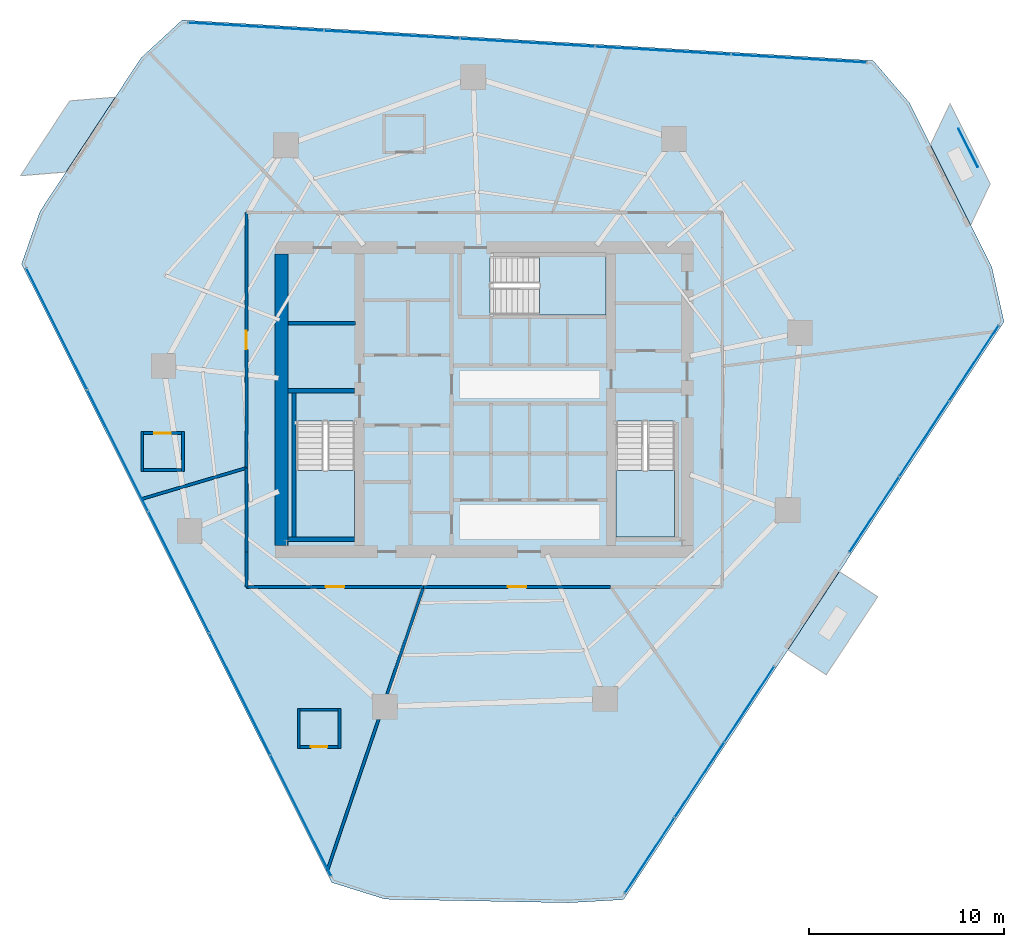
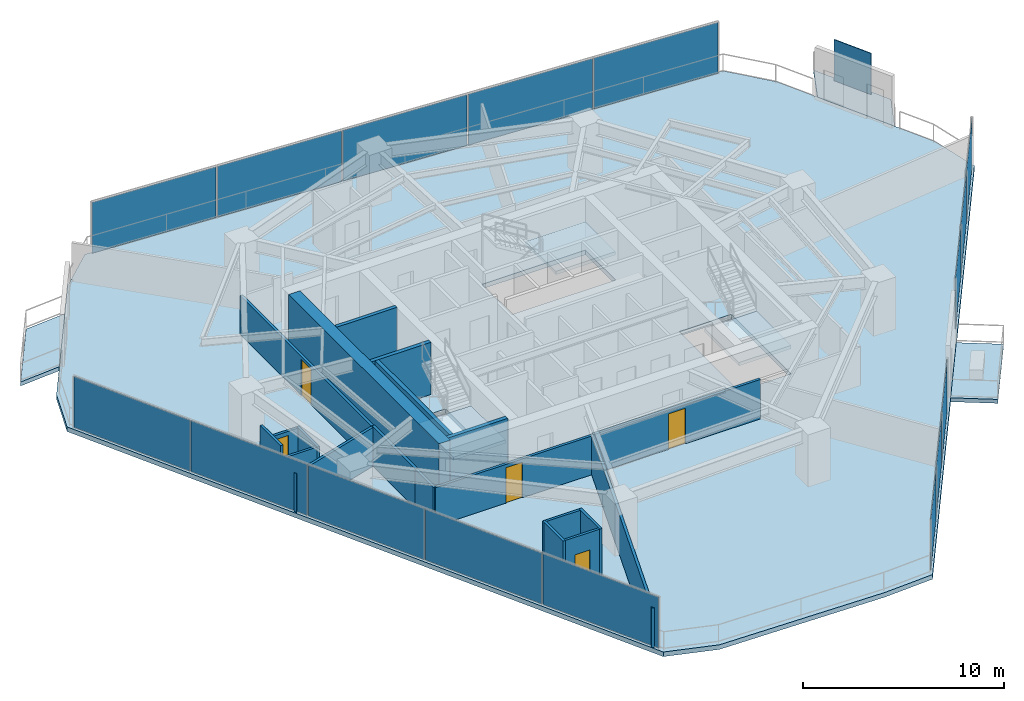
# One storey, part 23 of 28: 20 walls, 17 plates, 7 slabs, 5 doors, 5 openings, 7 elements without a shape of their own.
"""IFC4 building model written with IfcOpenShell, lengths in metres."""

from ifc_helpers import new_model, si_unit, direction, frame, frame_2d, origin, origin_2d, place, context, subcontext, project, spatial, polyline, rectangle, outline, extrude, material, layer, layer_set, type_object, element, fill, aggregate, save


model = new_model("IFC4")

# Units and contexts
model_context = context("Model", 3, precision=1e-05, world=origin(), true_north=direction((0.0, 1.0)))
body_context = subcontext(model_context, "Body", "Model", "MODEL_VIEW")
ifc_project = project(units=[si_unit("LENGTHUNIT", "METRE"), si_unit("AREAUNIT", "SQUARE_METRE"), si_unit("VOLUMEUNIT", "CUBIC_METRE"), si_unit("PLANEANGLEUNIT", "RADIAN"), si_unit("MASSUNIT", "GRAM", prefix="KILO")], contexts=[model_context])

# Site, building, storey
site_placement = place(None, origin())
site = spatial("IfcSite", under=ifc_project, at=site_placement, CompositionType="ELEMENT")
building_placement = place(site_placement, origin())
building = spatial("IfcBuilding", under=site, at=building_placement, Name="Qarnah Convention Tower", CompositionType="ELEMENT")
storey_placement = place(building_placement, frame((0.0, 0.0, 54.60009765625)))
storey = spatial("IfcBuildingStorey", under=building, at=storey_placement, Name="L13", CompositionType="ELEMENT", Elevation=54.60009765625)

# Curtain wall, plates
ifc_material_1 = material(Name="Tempered Low-E dark glass", Category="glass")
ifc_layer_1 = layer(ifc_material_1, 0.16796875)
ifc_layer_set_1 = layer_set([ifc_layer_1], Name="Tempered Low-E dark glass")
curtain_wall_type = type_object("IfcCurtainWallType", Name="CWS-01", PredefinedType="NOTDEFINED", material=ifc_layer_set_1)
curtain_wall_1_placement = place(storey_placement, origin())
curtain_wall_1 = element("IfcCurtainWall", 1, at=curtain_wall_1_placement, inside=storey, type_object=curtain_wall_type, Name="L13 unitised curtain wall CW-L13-F1", PredefinedType="NOTDEFINED")
ifc_layer_2 = layer(ifc_material_1, 0.028076171875)
ifc_layer_set_2 = layer_set([ifc_layer_2], Name="Tempered Low-E dark glass")
plate_type_1 = type_object("IfcPlateType", Name="PNL-T1", PredefinedType="CURTAIN_PANEL", material=ifc_layer_set_2)
plate_1_placement = place(storey_placement, frame((25.47900390625, 45.532470703125, 0.0400390625), z_axis=(0.0, 0.0, 1.0), x_axis=(0.998280790884, -0.058612819006, 0.0)))
plate_1 = element("IfcPlate", 2, at=plate_1_placement, type_object=plate_type_1, Name="CW-L13-F1 curtain panel 1.1", PredefinedType="CURTAIN_PANEL", context=body_context, shape_type="SweptSolid", body=[
    extrude(rectangle(XDim=6.89794921875, YDim=0.028076171875, at=origin_2d()), origin(), (0.0, 0.0, 1.0), 3.090087890625),
])
plate_2_placement = place(storey_placement, frame((32.445068359375, 45.12353515625, 0.0400390625), z_axis=(0.0, 0.0, 1.0), x_axis=(0.998280790884, -0.058612819006, 0.0)))
plate_2 = element("IfcPlate", 3, at=plate_2_placement, type_object=plate_type_1, Name="CW-L13-F1 curtain panel 2.1", PredefinedType="CURTAIN_PANEL", context=body_context, shape_type="SweptSolid", body=[
    extrude(rectangle(XDim=6.89794921875, YDim=0.028076171875, at=origin_2d()), origin(), (0.0, 0.0, 1.0), 3.090087890625),
])
plate_3_placement = place(storey_placement, frame((39.410888671875, 44.714599609375, 0.0400390625), z_axis=(0.0, 0.0, 1.0), x_axis=(0.998280790884, -0.058612819006, 0.0)))
plate_3 = element("IfcPlate", 4, at=plate_3_placement, type_object=plate_type_1, Name="CW-L13-F1 curtain panel 3.1", PredefinedType="CURTAIN_PANEL", context=body_context, shape_type="SweptSolid", body=[
    extrude(rectangle(XDim=6.89794921875, YDim=0.028076171875, at=origin_2d()), origin(), (0.0, 0.0, 1.0), 3.090087890625),
])
plate_4_placement = place(storey_placement, frame((46.376953125, 44.305419921875, 0.0400390625), z_axis=(0.0, 0.0, 1.0), x_axis=(0.998280790884, -0.058612819006, 0.0)))
plate_4 = element("IfcPlate", 5, at=plate_4_placement, type_object=plate_type_1, Name="CW-L13-F1 curtain panel 4.1", PredefinedType="CURTAIN_PANEL", context=body_context, shape_type="SweptSolid", body=[
    extrude(rectangle(XDim=6.89794921875, YDim=0.028076171875, at=origin_2d()), origin(), (0.0, 0.0, 1.0), 3.090087890625),
])
plate_5_placement = place(storey_placement, frame((53.343017578125, 43.896484375, 0.0400390625), z_axis=(0.0, 0.0, 1.0), x_axis=(0.998280790884, -0.058612819006, 0.0)))
plate_5 = element("IfcPlate", 6, at=plate_5_placement, type_object=plate_type_1, Name="CW-L13-F1 curtain panel 5.1", PredefinedType="CURTAIN_PANEL", context=body_context, shape_type="SweptSolid", body=[
    extrude(rectangle(XDim=6.89794921875, YDim=0.028076171875, at=origin_2d()), origin(), (0.0, 0.0, 1.0), 3.090087890625),
])
aggregate(curtain_wall_1, [plate_1, plate_2, plate_3, plate_4, plate_5])

curtain_wall_2_placement = place(storey_placement, origin())
curtain_wall_2 = element("IfcCurtainWall", 7, at=curtain_wall_2_placement, inside=storey, type_object=curtain_wall_type, Name="L13 unitised curtain wall CW-L13-F2", PredefinedType="NOTDEFINED")
plate_6_placement = place(storey_placement, frame((27.78759765625, 5.08056640625, 0.0400390625), z_axis=(0.0, 0.0, 1.0), x_axis=(-0.448382607671, 0.893841729356, 0.0)))
plate_6 = element("IfcPlate", 8, at=plate_6_placement, type_object=plate_type_1, Name="CW-L13-F2 curtain panel 1.1", PredefinedType="CURTAIN_PANEL", context=body_context, shape_type="SweptSolid", body=[
    extrude(rectangle(XDim=6.89794921875, YDim=0.028076171875, at=origin_2d()), origin(), (0.0, 0.0, 1.0), 3.090087890625),
])
plate_7_placement = place(storey_placement, frame((24.65869140625, 11.31787109375, 0.0400390625), z_axis=(0.0, 0.0, 1.0), x_axis=(-0.448382607671, 0.893841729356, 0.0)))
plate_7 = element("IfcPlate", 9, at=plate_7_placement, type_object=plate_type_1, Name="CW-L13-F2 curtain panel 2.1", PredefinedType="CURTAIN_PANEL", context=body_context, shape_type="SweptSolid", body=[
    extrude(rectangle(XDim=6.89794921875, YDim=0.028076171875, at=origin_2d()), origin(), (0.0, 0.0, 1.0), 3.090087890625),
])
plate_8_placement = place(storey_placement, frame((21.530029296875, 17.554931640625, 0.0400390625), z_axis=(0.0, 0.0, 1.0), x_axis=(-0.448382607671, 0.893841729356, 0.0)))
plate_8 = element("IfcPlate", 10, at=plate_8_placement, type_object=plate_type_1, Name="CW-L13-F2 curtain panel 3.1", PredefinedType="CURTAIN_PANEL", context=body_context, shape_type="SweptSolid", body=[
    extrude(rectangle(XDim=6.89794921875, YDim=0.028076171875, at=origin_2d()), origin(), (0.0, 0.0, 1.0), 3.090087890625),
])
plate_9_placement = place(storey_placement, frame((18.401123046875, 23.792236328125, 0.0400390625), z_axis=(0.0, 0.0, 1.0), x_axis=(-0.448382607671, 0.893841729356, 0.0)))
plate_9 = element("IfcPlate", 11, at=plate_9_placement, type_object=plate_type_1, Name="CW-L13-F2 curtain panel 4.1", PredefinedType="CURTAIN_PANEL", context=body_context, shape_type="SweptSolid", body=[
    extrude(rectangle(XDim=6.89794921875, YDim=0.028076171875, at=origin_2d()), origin(), (0.0, 0.0, 1.0), 3.090087890625),
])
plate_10_placement = place(storey_placement, frame((15.2724609375, 30.029296875, 0.0400390625), z_axis=(0.0, 0.0, 1.0), x_axis=(-0.448382607671, 0.893841729356, 0.0)))
plate_10 = element("IfcPlate", 12, at=plate_10_placement, type_object=plate_type_1, Name="CW-L13-F2 curtain panel 5.1", PredefinedType="CURTAIN_PANEL", context=body_context, shape_type="SweptSolid", body=[
    extrude(rectangle(XDim=6.89794921875, YDim=0.028076171875, at=origin_2d()), origin(), (0.0, 0.0, 1.0), 3.090087890625),
])
aggregate(curtain_wall_2, [plate_6, plate_7, plate_8, plate_9, plate_10])

curtain_wall_3_placement = place(storey_placement, origin())
curtain_wall_3 = element("IfcCurtainWall", 13, at=curtain_wall_3_placement, inside=storey, type_object=curtain_wall_type, Name="L13 unitised curtain wall CW-L13-F3", PredefinedType="NOTDEFINED")
plate_11_placement = place(storey_placement, frame((62.304931640625, 28.276123046875, 0.0400390625), z_axis=(0.0, 0.0, 1.0), x_axis=(-0.549912553772, -0.835222235817, 0.0)))
plate_11 = element("IfcPlate", 14, at=plate_11_placement, type_object=plate_type_1, Name="CW-L13-F3 curtain panel 1.1", PredefinedType="CURTAIN_PANEL", context=body_context, shape_type="SweptSolid", body=[
    extrude(rectangle(XDim=4.572265625, YDim=0.028076171875, at=origin_2d()), origin(), (0.0, 0.0, 1.0), 3.090087890625),
])
plate_12_placement = place(storey_placement, frame((59.74658203125, 24.390380859375, 0.0400390625), z_axis=(0.0, 0.0, 1.0), x_axis=(-0.549912553772, -0.835222235817, 0.0)))
plate_12 = element("IfcPlate", 15, at=plate_12_placement, type_object=plate_type_1, Name="CW-L13-F3 curtain panel 2.1", PredefinedType="CURTAIN_PANEL", context=body_context, shape_type="SweptSolid", body=[
    extrude(rectangle(XDim=4.572265625, YDim=0.028076171875, at=origin_2d()), origin(), (0.0, 0.0, 1.0), 3.090087890625),
])
plate_13_placement = place(storey_placement, frame((57.188232421875, 20.5048828125, 0.0400390625), z_axis=(0.0, 0.0, 1.0), x_axis=(-0.549912553772, -0.835222235817, 0.0)))
plate_13 = element("IfcPlate", 16, at=plate_13_placement, type_object=plate_type_1, Name="CW-L13-F3 curtain panel 3.1", PredefinedType="CURTAIN_PANEL", context=body_context, shape_type="SweptSolid", body=[
    extrude(rectangle(XDim=4.572265625, YDim=0.028076171875, at=origin_2d()), origin(), (0.0, 0.0, 1.0), 3.090087890625),
])
aggregate(curtain_wall_3, [plate_11, plate_12, plate_13])

curtain_wall_4_placement = place(storey_placement, origin())
curtain_wall_4 = element("IfcCurtainWall", 17, at=curtain_wall_4_placement, inside=storey, type_object=curtain_wall_type, Name="L13 unitised curtain wall CW-L13-F4", PredefinedType="NOTDEFINED")
plate_14_placement = place(storey_placement, frame((50.794921875, 10.7939453125, 0.0400390625), z_axis=(0.0, 0.0, 1.0), x_axis=(-0.549879652203, -0.835243897369, 0.0)))
plate_14 = element("IfcPlate", 18, at=plate_14_placement, type_object=plate_type_1, Name="CW-L13-F4 curtain panel 1.1", PredefinedType="CURTAIN_PANEL", context=body_context, shape_type="SweptSolid", body=[
    extrude(rectangle(XDim=4.572509765625, YDim=0.028076171875, at=origin_2d()), origin(), (0.0, 0.0, 1.0), 3.090087890625),
])
plate_15_placement = place(storey_placement, frame((48.236572265625, 6.907958984375, 0.0400390625), z_axis=(0.0, 0.0, 1.0), x_axis=(-0.549879652203, -0.835243897369, 0.0)))
plate_15 = element("IfcPlate", 19, at=plate_15_placement, type_object=plate_type_1, Name="CW-L13-F4 curtain panel 2.1", PredefinedType="CURTAIN_PANEL", context=body_context, shape_type="SweptSolid", body=[
    extrude(rectangle(XDim=4.572509765625, YDim=0.028076171875, at=origin_2d()), origin(), (0.0, 0.0, 1.0), 3.090087890625),
])
plate_16_placement = place(storey_placement, frame((45.67822265625, 3.02197265625, 0.0400390625), z_axis=(0.0, 0.0, 1.0), x_axis=(-0.549879652203, -0.835243897369, 0.0)))
plate_16 = element("IfcPlate", 20, at=plate_16_placement, type_object=plate_type_1, Name="CW-L13-F4 curtain panel 3.1", PredefinedType="CURTAIN_PANEL", context=body_context, shape_type="SweptSolid", body=[
    extrude(rectangle(XDim=4.572509765625, YDim=0.028076171875, at=origin_2d()), origin(), (0.0, 0.0, 1.0), 3.090087890625),
])
aggregate(curtain_wall_4, [plate_14, plate_15, plate_16])

# Plate
ifc_material_2 = material(Name="Black anodised aluminium", Category="aluminium")
ifc_layer_3 = layer(ifc_material_2, 0.044921875)
ifc_layer_set_3 = layer_set([ifc_layer_3], Name="Black anodised aluminium")
plate_type_2 = type_object("IfcPlateType", Name="SCR-BAL-18", PredefinedType="USERDEFINED", material=ifc_layer_set_3)
plate_17_placement = place(storey_placement, frame((62.008056640625, 39.31201171875, 0.0), z_axis=(0.0, 0.0, 1.0), x_axis=(0.448256847755, -0.893904803903, 0.0)))
element("IfcPlate", 21, at=plate_17_placement, inside=storey, type_object=plate_type_2, Name="L13 perforated desert solar screen BAL-L13-C1", ObjectType="SCREEN", PredefinedType="USERDEFINED", context=body_context, shape_type="SweptSolid", body=[
    extrude(rectangle(XDim=2.199951171875, YDim=0.044921875, at=origin_2d()), origin(), (0.0, 0.0, 1.0), 2.5),
])

# Slabs
ifc_material_3 = material(Name="Concrete C45/55", Category="concrete")
ifc_layer_4 = layer(ifc_material_3, 0.239990234375)
ifc_layer_set_4 = layer_set([ifc_layer_4], Name="Concrete C45/55")
slab_type_1 = type_object("IfcSlabType", Name="SLB-BAL-240", PredefinedType="USERDEFINED", material=ifc_layer_set_4)
slab_1_placement = place(storey_placement, frame((0.0, 0.0, -0.239990234375)))
element("IfcSlab", 22, at=slab_1_placement, inside=storey, type_object=slab_type_1, Name="L13 cantilevered balcony slab BAL-L13-C1", ObjectType="BALCONY", PredefinedType="USERDEFINED", context=body_context, shape_type="SweptSolid", body=[
    extrude(outline(polyline([(61.080078125, 41.5849609375), (63.14208984375, 37.472900390625), (62.136962890625, 35.35302734375), (60.074951171875, 39.465087890625), (61.080078125, 41.5849609375)])), origin(), (0.0, 0.0, 1.0), 0.239990234375),
])
slab_2_placement = place(storey_placement, frame((0.0, 0.0, -0.239990234375)))
element("IfcSlab", 23, at=slab_2_placement, inside=storey, type_object=slab_type_1, Name="L13 cantilevered balcony slab BAL-L13-C2", ObjectType="BALCONY", PredefinedType="USERDEFINED", context=body_context, shape_type="SweptSolid", body=[
    extrude(outline(polyline([(13.406005859375, 37.885009765625), (15.93603515625, 41.72705078125), (18.27392578125, 41.9169921875), (15.7451171875, 38.074951171875), (13.406005859375, 37.885009765625)])), origin(), (0.0, 0.0, 1.0), 0.239990234375),
])
slab_3_placement = place(storey_placement, frame((0.0, 0.0, -0.239990234375)))
element("IfcSlab", 24, at=slab_3_placement, inside=storey, type_object=slab_type_1, Name="L13 cantilevered balcony slab VN-L13", ObjectType="BALCONY", PredefinedType="USERDEFINED", context=body_context, shape_type="SweptSolid", body=[
    extrude(outline(polyline([(55.166015625, 17.221923828125), (55.407958984375, 17.590087890625), (57.37109375, 16.298095703125), (54.73095703125, 12.2890625), (52.76904296875, 13.5810546875), (55.166015625, 17.221923828125)])), origin(), (0.0, 0.0, 1.0), 0.239990234375),
])

# Stair, slab
ifc_material_4 = material(Name="Concrete C50/60", Category="concrete")
stair_type = type_object("IfcStairType", Name="STR-HTL", PredefinedType="HALF_TURN_STAIR", material=ifc_material_4)
stair_1_placement = place(storey_placement, origin())
stair_1 = element("IfcStair", 25, at=stair_1_placement, inside=storey, type_object=stair_type, Name="L13 Core exit stair ST-1", PredefinedType="HALF_TURN_STAIR")
ifc_layer_5 = layer(ifc_material_4, 0.199951171875)
ifc_layer_set_5 = layer_set([ifc_layer_5], Name="Concrete C50/60")
slab_type_2 = type_object("IfcSlabType", Name="SLB-LANDING-200", PredefinedType="LANDING", material=ifc_layer_set_5)
slab_4_placement = place(storey_placement, frame((0.0, 0.0, 1.52490234375)))
slab_4 = element("IfcSlab", 26, at=slab_4_placement, type_object=slab_type_2, Name="ST-1 landing 1", PredefinedType="LANDING", context=body_context, shape_type="SweptSolid", body=[
    extrude(outline(polyline([(27.550048828125, 22.780029296875), (27.550048828125, 19.35009765625), (30.550048828125, 19.35009765625), (30.550048828125, 22.780029296875), (27.550048828125, 22.780029296875)])), origin(), (0.0, 0.0, 1.0), 0.199951171875),
])
aggregate(stair_1, [slab_4])

stair_2_placement = place(storey_placement, origin())
stair_2 = element("IfcStair", 27, at=stair_2_placement, inside=storey, type_object=stair_type, Name="L13 Core exit stair ST-2", PredefinedType="HALF_TURN_STAIR")
slab_5_placement = place(storey_placement, frame((0.0, 0.0, 1.52490234375)))
slab_5 = element("IfcSlab", 28, at=slab_5_placement, type_object=slab_type_2, Name="ST-2 landing 1", PredefinedType="LANDING", context=body_context, shape_type="SweptSolid", body=[
    extrude(outline(polyline([(43.949951171875, 22.780029296875), (43.949951171875, 19.35009765625), (46.949951171875, 19.35009765625), (46.949951171875, 22.780029296875), (43.949951171875, 22.780029296875)])), origin(), (0.0, 0.0, 1.0), 0.199951171875),
])
aggregate(stair_2, [slab_5])

stair_3_placement = place(storey_placement, origin())
stair_3 = element("IfcStair", 29, at=stair_3_placement, inside=storey, type_object=stair_type, Name="L13 Core exit stair ST-3", PredefinedType="HALF_TURN_STAIR")
slab_6_placement = place(storey_placement, frame((0.0, 0.0, 1.52490234375)))
slab_6 = element("IfcSlab", 30, at=slab_6_placement, type_object=slab_type_2, Name="ST-3 landing 1", PredefinedType="LANDING", context=body_context, shape_type="SweptSolid", body=[
    extrude(outline(polyline([(40.02001953125, 30.75), (43.449951171875, 30.75), (43.449951171875, 33.75), (40.02001953125, 33.75), (40.02001953125, 30.75)])), origin(), (0.0, 0.0, 1.0), 0.199951171875),
])
aggregate(stair_3, [slab_6])

# Slab
ifc_layer_6 = layer(ifc_material_3, 0.280029296875)
ifc_layer_set_6 = layer_set([ifc_layer_6], Name="Concrete C45/55")
slab_type_3 = type_object("IfcSlabType", Name="SLB-TWR-280", PredefinedType="FLOOR", material=ifc_layer_set_6)
slab_7_placement = place(storey_placement, frame((0.0, 0.0, -0.280029296875)))
element("IfcSlab", 31, at=slab_7_placement, inside=storey, type_object=slab_type_3, Name="L13 structural floor slab", PredefinedType="FLOOR", context=body_context, shape_type="SweptSolid", body=[
    extrude(outline(polyline([(57.133056640625, 43.7939453125), (21.7041015625, 45.8740234375), (19.59912109375, 43.93603515625), (14.4150390625, 36.06201171875), (13.466064453125, 33.362060546875), (29.37890625, 1.639892578125), (32.111083984375, 0.785888671875), (41.52099609375, 0.60009765625), (44.333984375, 0.761962890625), (63.84912109375, 30.404052734375), (63.222900390625, 33.197021484375), (58.9970703125, 41.623046875), (57.133056640625, 43.7939453125)]), holes=[polyline([(27.550048828125, 25.300048828125), (27.550048828125, 19.35009765625), (30.550048828125, 19.35009765625), (30.550048828125, 25.300048828125), (27.550048828125, 25.300048828125)]), polyline([(43.949951171875, 25.300048828125), (43.949951171875, 19.35009765625), (46.949951171875, 19.35009765625), (46.949951171875, 25.300048828125), (43.949951171875, 25.300048828125)]), polyline([(37.5, 30.75), (43.449951171875, 30.75), (43.449951171875, 33.75), (37.5, 33.75), (37.5, 30.75)])]), origin(), (0.0, 0.0, 1.0), 0.280029296875),
])

# Walls
ifc_material_5 = material(Name="Concrete C60/75", Category="concrete")
ifc_layer_7 = layer(ifc_material_5, 0.64990234375)
ifc_layer_set_7 = layer_set([ifc_layer_7], Name="Concrete C60/75")
wall_type_1 = type_object("IfcWallType", Name="WL-CORE-650", PredefinedType="SHEAR", material=ifc_layer_set_7)
wall_1_placement = place(storey_placement, frame((26.800048828125, 18.925048828125, 0.0), z_axis=(0.0, 0.0, 1.0), x_axis=(0.0, 1.0, 0.0)))
element("IfcWall", 32, at=wall_1_placement, inside=storey, type_object=wall_type_1, Name="L13 core west shear wall", PredefinedType="SHEAR", context=body_context, shape_type="SweptSolid", body=[
    extrude(rectangle(XDim=14.949951171875, YDim=0.64990234375, at=frame_2d((7.47509765625, 0.0))), origin(), (0.0, 0.0, 1.0), 3.169921875),
])
ifc_layer_8 = layer(ifc_material_3, 0.199951171875)
ifc_layer_set_8 = layer_set([ifc_layer_8], Name="Concrete C45/55")
wall_type_2 = type_object("IfcWallType", Name="WL-CORE-PART-200", PredefinedType="SOLIDWALL", material=ifc_layer_set_8)
wall_2_placement = place(storey_placement, frame((27.14990234375, 30.320068359375, 0.0), z_axis=(0.0, 0.0, 1.0), x_axis=(1.0, 0.0, 0.0)))
element("IfcWall", 33, at=wall_2_placement, inside=storey, type_object=wall_type_2, Name="L13 interior wall IW-L13-ELRN", PredefinedType="SOLIDWALL", context=body_context, shape_type="SweptSolid", body=[
    extrude(rectangle(XDim=3.4501953125, YDim=0.199951171875, at=frame_2d((1.72509765625, 0.0))), origin(), (0.0, 0.0, 1.0), 3.169921875),
])
ifc_layer_9 = layer(ifc_material_5, 0.219970703125)
ifc_layer_set_9 = layer_set([ifc_layer_9], Name="Concrete C60/75")
wall_type_3 = type_object("IfcWallType", Name="WL-CORE-STAIR-220", PredefinedType="SHEAR", material=ifc_layer_set_9)
wall_3_placement = place(storey_placement, frame((27.125, 26.860107421875, 0.0), z_axis=(0.0, 0.0, 1.0), x_axis=(1.0, 0.0, 0.0)))
element("IfcWall", 34, at=wall_3_placement, inside=storey, type_object=wall_type_3, Name="L13 stair shaft shear wall SW-L13-ST1N", PredefinedType="SHEAR", context=body_context, shape_type="SweptSolid", body=[
    extrude(rectangle(XDim=3.425048828125, YDim=0.219970703125, at=frame_2d((1.71240234375, 0.0))), origin(), (0.0, 0.0, 1.0), 3.169921875),
])
wall_4_placement = place(storey_placement, frame((27.43994140625, 19.35009765625, 0.0), z_axis=(0.0, 0.0, 1.0), x_axis=(0.0, 1.0, 0.0)))
element("IfcWall", 35, at=wall_4_placement, inside=storey, type_object=wall_type_3, Name="L13 stair shaft shear wall SW-L13-ST1W", PredefinedType="SHEAR", context=body_context, shape_type="SweptSolid", body=[
    extrude(rectangle(XDim=7.39990234375, YDim=0.219970703125, at=frame_2d((3.699951171875, 0.0))), origin(), (0.0, 0.0, 1.0), 3.169921875),
])
wall_5_placement = place(storey_placement, frame((27.125, 19.239990234375, 0.0), z_axis=(0.0, 0.0, 1.0), x_axis=(1.0, 0.0, 0.0)))
element("IfcWall", 36, at=wall_5_placement, inside=storey, type_object=wall_type_3, Name="L13 stair shaft shear wall SW-L13-ST1S", PredefinedType="SHEAR", context=body_context, shape_type="SweptSolid", body=[
    extrude(rectangle(XDim=3.425048828125, YDim=0.219970703125, at=frame_2d((1.71240234375, 0.0))), origin(), (0.0, 0.0, 1.0), 3.169921875),
])
ifc_material_6 = material(Name="Gypsum partition board")
ifc_layer_10 = layer(ifc_material_6, 0.14990234375)
ifc_layer_set_10 = layer_set([ifc_layer_10], Name="Gypsum partition board")
wall_type_4 = type_object("IfcWallType", Name="WL-SUITE-150", PredefinedType="PARTITIONING", material=ifc_layer_set_10)
wall_6_placement = place(storey_placement, frame((19.60400390625, 21.301025390625, 0.0), z_axis=(0.0, 0.0, 1.0), x_axis=(0.958688645274, 0.284457521297, 0.0)))
element("IfcWall", 37, at=wall_6_placement, inside=storey, type_object=wall_type_4, Name="L13 interior wall IW-L13-R-20", PredefinedType="PARTITIONING", context=body_context, shape_type="SweptSolid", body=[
    extrude(rectangle(XDim=5.62841796875, YDim=0.14990234375, at=frame_2d((2.814208984375, 0.0))), origin(), (0.0, 0.0, 1.0), 2.35498046875),
])

# Wall, opening, door
wall_7_placement = place(storey_placement, frame((25.0, 22.902099609375, 0.0), z_axis=(0.0, 0.0, 1.0), x_axis=(0.0, 1.0, 0.0)))
wall_7 = element("IfcWall", 38, at=wall_7_placement, inside=storey, type_object=wall_type_4, Name="L13 interior wall IW-L13-R-21", PredefinedType="PARTITIONING", context=body_context, shape_type="SweptSolid", body=[
    extrude(rectangle(XDim=13.097900390625, YDim=0.14990234375, at=frame_2d((6.548828125, 0.0))), origin(), (0.0, 0.0, 1.0), 2.35498046875),
])
opening_1_placement = place(wall_7_placement, frame((6.073974609375, 0.0, 0.0)))
opening_1 = element("IfcOpeningElement", 39, at=opening_1_placement, cuts=wall_7, Name="Opening D-1319", PredefinedType="OPENING", context=body_context, shape_type="SweptSolid", body=[
    extrude(rectangle(XDim=0.949951171875, YDim=2.14990234375, at=frame_2d((0.47509765625, 1.074951171875))), frame((0.0, 0.0849609375, 0.0), z_axis=(0.0, -1.0, 0.0), x_axis=(1.0, 0.0, 0.0)), (0.0, 0.0, 1.0), 0.169921875),
])
ifc_material_7 = material(Name="Oak timber veneer", Category="wood")
door_type_1 = type_object("IfcDoorType", Name="DT-HOTEL-950", OperationType="NOTDEFINED", PredefinedType="DOOR", material=ifc_material_7)
door_1_placement = place(opening_1_placement, origin())
door_1 = element("IfcDoor", 40, at=door_1_placement, inside=storey, type_object=door_type_1, Name="Door D-1319", OperationType="SINGLE_SWING_LEFT", OverallHeight=2.14990234375, OverallWidth=0.949951171875, PredefinedType="DOOR", context=body_context, shape_type="SweptSolid", body=[
    extrude(rectangle(XDim=0.949951171875, YDim=2.14990234375, at=frame_2d((0.47509765625, 1.074951171875))), frame((0.0, 0.02490234375, 0.0), z_axis=(0.0, -1.0, 0.0), x_axis=(1.0, 0.0, 0.0)), (0.0, 0.0, 1.0), 0.050048828125),
])
fill(opening_1, door_1)

# Wall
wall_8_placement = place(storey_placement, frame((29.14111328125, 2.239990234375, 0.0), z_axis=(0.0, 0.0, 1.0), x_axis=(0.321291767727, 0.946980253221, 0.0)))
element("IfcWall", 41, at=wall_8_placement, inside=storey, type_object=wall_type_4, Name="L13 interior wall IW-L13-R-24", PredefinedType="PARTITIONING", context=body_context, shape_type="SweptSolid", body=[
    extrude(rectangle(XDim=15.375244140625, YDim=0.14990234375, at=frame_2d((7.6875, 0.0))), origin(), (0.0, 0.0, 1.0), 2.39501953125),
])

# Wall, opening, door
wall_9_placement = place(storey_placement, frame((34.0810546875, 16.800048828125, 0.0), z_axis=(0.0, 0.0, 1.0), x_axis=(-1.0, 0.0, 0.0)))
wall_9 = element("IfcWall", 42, at=wall_9_placement, inside=storey, type_object=wall_type_4, Name="L13 interior wall IW-L13-R-25", PredefinedType="PARTITIONING", context=body_context, shape_type="SweptSolid", body=[
    extrude(rectangle(XDim=9.0810546875, YDim=0.14990234375, at=frame_2d((4.54052734375, 0.0))), origin(), (0.0, 0.0, 1.0), 2.35498046875),
])
opening_2_placement = place(wall_9_placement, frame((4.06591796875, 0.0, 0.0)))
opening_2 = element("IfcOpeningElement", 43, at=opening_2_placement, cuts=wall_9, Name="Opening D-1321", PredefinedType="OPENING", context=body_context, shape_type="SweptSolid", body=[
    extrude(rectangle(XDim=0.949951171875, YDim=2.14990234375, at=frame_2d((0.47509765625, 1.074951171875))), frame((0.0, 0.0849609375, 0.0), z_axis=(0.0, -1.0, 0.0), x_axis=(1.0, 0.0, 0.0)), (0.0, 0.0, 1.0), 0.169921875),
])
door_2_placement = place(opening_2_placement, origin())
door_2 = element("IfcDoor", 44, at=door_2_placement, inside=storey, type_object=door_type_1, Name="Door D-1321", OperationType="SINGLE_SWING_LEFT", OverallHeight=2.14990234375, OverallWidth=0.949951171875, PredefinedType="DOOR", context=body_context, shape_type="SweptSolid", body=[
    extrude(rectangle(XDim=0.949951171875, YDim=2.14990234375, at=frame_2d((0.47509765625, 1.074951171875))), frame((0.0, 0.02490234375, 0.0), z_axis=(0.0, -1.0, 0.0), x_axis=(1.0, 0.0, 0.0)), (0.0, 0.0, 1.0), 0.050048828125),
])
fill(opening_2, door_2)

# Walls
wall_10_placement = place(storey_placement, frame((25.0, 16.800048828125, 0.0), z_axis=(0.0, 0.0, 1.0), x_axis=(0.0, 1.0, 0.0)))
element("IfcWall", 45, at=wall_10_placement, inside=storey, type_object=wall_type_4, Name="L13 interior wall IW-L13-R-26", PredefinedType="PARTITIONING", context=body_context, shape_type="SweptSolid", body=[
    extrude(rectangle(XDim=1.800048828125, YDim=0.14990234375, at=frame_2d((0.89990234375, 0.0))), origin(), (0.0, 0.0, 1.0), 2.35498046875),
])
wall_11_placement = place(storey_placement, frame((25.0, 18.60009765625, 0.0), z_axis=(0.0, 0.0, 1.0), x_axis=(0.0, 1.0, 0.0)))
element("IfcWall", 46, at=wall_11_placement, inside=storey, type_object=wall_type_4, Name="L13 interior wall IW-L13-R-27", PredefinedType="PARTITIONING", context=body_context, shape_type="SweptSolid", body=[
    extrude(rectangle(XDim=4.302001953125, YDim=0.14990234375, at=frame_2d((2.15087890625, 0.0))), origin(), (0.0, 0.0, 1.0), 2.39501953125),
])

# Wall, opening, door
wall_12_placement = place(storey_placement, frame((43.675048828125, 16.800048828125, 0.0), z_axis=(0.0, 0.0, 1.0), x_axis=(-1.0, 0.0, 0.0)))
wall_12 = element("IfcWall", 47, at=wall_12_placement, inside=storey, type_object=wall_type_4, Name="L13 interior wall IW-L13-R-29", PredefinedType="PARTITIONING", context=body_context, shape_type="SweptSolid", body=[
    extrude(rectangle(XDim=9.593994140625, YDim=0.14990234375, at=frame_2d((4.796875, 0.0))), origin(), (0.0, 0.0, 1.0), 2.39501953125),
])
opening_3_placement = place(wall_12_placement, frame((4.322021484375, 0.0, 0.0)))
opening_3 = element("IfcOpeningElement", 48, at=opening_3_placement, cuts=wall_12, Name="Opening D-1323", PredefinedType="OPENING", context=body_context, shape_type="SweptSolid", body=[
    extrude(rectangle(XDim=0.949951171875, YDim=2.14990234375, at=frame_2d((0.47509765625, 1.074951171875))), frame((0.0, 0.0849609375, 0.0), z_axis=(0.0, -1.0, 0.0), x_axis=(1.0, 0.0, 0.0)), (0.0, 0.0, 1.0), 0.169921875),
])
door_3_placement = place(opening_3_placement, origin())
door_3 = element("IfcDoor", 49, at=door_3_placement, inside=storey, type_object=door_type_1, Name="Door D-1323", OperationType="SINGLE_SWING_LEFT", OverallHeight=2.14990234375, OverallWidth=0.949951171875, PredefinedType="DOOR", context=body_context, shape_type="SweptSolid", body=[
    extrude(rectangle(XDim=0.949951171875, YDim=2.14990234375, at=frame_2d((0.47509765625, 1.074951171875))), frame((0.0, 0.02490234375, 0.0), z_axis=(0.0, -1.0, 0.0), x_axis=(1.0, 0.0, 0.0)), (0.0, 0.0, 1.0), 0.050048828125),
])
fill(opening_3, door_3)

# Walls
ifc_layer_11 = layer(ifc_material_6, 0.139892578125)
ifc_layer_set_11 = layer_set([ifc_layer_11], Name="Gypsum partition board")
wall_type_5 = type_object("IfcWallType", Name="WL-WET-140", PredefinedType="PARTITIONING", material=ifc_layer_set_11)
wall_13_placement = place(storey_placement, frame((19.5791015625, 22.7919921875, 0.0), z_axis=(0.0, 0.0, 1.0), x_axis=(1.0, 0.0, 0.0)))
element("IfcWall", 50, at=wall_13_placement, inside=storey, type_object=wall_type_5, Name="L13 interior wall IW-L13-ENS02-1", PredefinedType="PARTITIONING", context=body_context, shape_type="SweptSolid", body=[
    extrude(rectangle(XDim=2.239990234375, YDim=0.139892578125, at=frame_2d((1.1201171875, 0.0))), origin(), (0.0, 0.0, 1.0), 2.35498046875),
])
wall_14_placement = place(storey_placement, frame((21.7490234375, 22.721923828125, 0.0), z_axis=(0.0, 0.0, 1.0), x_axis=(0.0, 1.0, 0.0)))
element("IfcWall", 51, at=wall_14_placement, inside=storey, type_object=wall_type_5, Name="L13 interior wall IW-L13-ENS02-2", PredefinedType="PARTITIONING", context=body_context, shape_type="SweptSolid", body=[
    extrude(rectangle(XDim=2.0400390625, YDim=0.139892578125, at=frame_2d((1.02001953125, 0.0))), origin(), (0.0, 0.0, 1.0), 2.35498046875),
])

# Wall, opening, door
wall_15_placement = place(storey_placement, frame((21.819091796875, 24.69189453125, 0.0), z_axis=(0.0, 0.0, 1.0), x_axis=(-1.0, 0.0, 0.0)))
wall_15 = element("IfcWall", 52, at=wall_15_placement, inside=storey, type_object=wall_type_5, Name="L13 interior wall IW-L13-ENS02-3", PredefinedType="PARTITIONING", context=body_context, shape_type="SweptSolid", body=[
    extrude(rectangle(XDim=2.239990234375, YDim=0.139892578125, at=frame_2d((1.1201171875, 0.0))), origin(), (0.0, 0.0, 1.0), 2.35498046875),
])
opening_4_placement = place(wall_15_placement, frame((0.695068359375, 0.0, 0.0)))
opening_4 = element("IfcOpeningElement", 53, at=opening_4_placement, cuts=wall_15, Name="Opening D-1320", PredefinedType="OPENING", context=body_context, shape_type="SweptSolid", body=[
    extrude(rectangle(XDim=0.85009765625, YDim=2.10009765625, at=frame_2d((0.425048828125, 1.050048828125))), frame((0.0, 0.079833984375, 0.0), z_axis=(0.0, -1.0, 0.0), x_axis=(1.0, 0.0, 0.0)), (0.0, 0.0, 1.0), 0.159912109375),
])
door_type_2 = type_object("IfcDoorType", Name="DT-BATH-850", OperationType="NOTDEFINED", PredefinedType="DOOR", material=ifc_material_7)
door_4_placement = place(opening_4_placement, origin())
door_4 = element("IfcDoor", 54, at=door_4_placement, inside=storey, type_object=door_type_2, Name="Door D-1320", OperationType="SINGLE_SWING_RIGHT", OverallHeight=2.10009765625, OverallWidth=0.85009765625, PredefinedType="DOOR", context=body_context, shape_type="SweptSolid", body=[
    extrude(rectangle(XDim=0.85009765625, YDim=2.10009765625, at=frame_2d((0.425048828125, 1.050048828125))), frame((0.0, 0.02490234375, 0.0), z_axis=(0.0, -1.0, 0.0), x_axis=(1.0, 0.0, 0.0)), (0.0, 0.0, 1.0), 0.050048828125),
])
fill(opening_4, door_4)

# Wall
wall_16_placement = place(storey_placement, frame((19.64892578125, 24.761962890625, 0.0), z_axis=(0.0, 0.0, 1.0), x_axis=(0.0, -1.0, 0.0)))
element("IfcWall", 55, at=wall_16_placement, inside=storey, type_object=wall_type_5, Name="L13 interior wall IW-L13-ENS02-4", PredefinedType="PARTITIONING", context=body_context, shape_type="SweptSolid", body=[
    extrude(rectangle(XDim=2.0400390625, YDim=0.139892578125, at=frame_2d((1.02001953125, 0.0))), origin(), (0.0, 0.0, 1.0), 3.169921875),
])

# Wall, opening, door
wall_17_placement = place(storey_placement, frame((27.60498046875, 8.594970703125, 0.0), z_axis=(0.0, 0.0, 1.0), x_axis=(1.0, 0.0, 0.0)))
wall_17 = element("IfcWall", 56, at=wall_17_placement, inside=storey, type_object=wall_type_5, Name="L13 interior wall IW-L13-ENS03-1", PredefinedType="PARTITIONING", context=body_context, shape_type="SweptSolid", body=[
    extrude(rectangle(XDim=2.239990234375, YDim=0.139892578125, at=frame_2d((1.1201171875, 0.0))), origin(), (0.0, 0.0, 1.0), 3.169921875),
])
opening_5_placement = place(wall_17_placement, frame((0.695068359375, 0.0, 0.0)))
opening_5 = element("IfcOpeningElement", 57, at=opening_5_placement, cuts=wall_17, Name="Opening D-1322", PredefinedType="OPENING", context=body_context, shape_type="SweptSolid", body=[
    extrude(rectangle(XDim=0.85009765625, YDim=2.10009765625, at=frame_2d((0.425048828125, 1.050048828125))), frame((0.0, 0.079833984375, 0.0), z_axis=(0.0, -1.0, 0.0), x_axis=(1.0, 0.0, 0.0)), (0.0, 0.0, 1.0), 0.159912109375),
])
door_5_placement = place(opening_5_placement, origin())
door_5 = element("IfcDoor", 58, at=door_5_placement, inside=storey, type_object=door_type_2, Name="Door D-1322", OperationType="SINGLE_SWING_RIGHT", OverallHeight=2.10009765625, OverallWidth=0.85009765625, PredefinedType="DOOR", context=body_context, shape_type="SweptSolid", body=[
    extrude(rectangle(XDim=0.85009765625, YDim=2.10009765625, at=frame_2d((0.425048828125, 1.050048828125))), frame((0.0, 0.02490234375, 0.0), z_axis=(0.0, -1.0, 0.0), x_axis=(1.0, 0.0, 0.0)), (0.0, 0.0, 1.0), 0.050048828125),
])
fill(opening_5, door_5)

# Walls
wall_18_placement = place(storey_placement, frame((29.77490234375, 8.52490234375, 0.0), z_axis=(0.0, 0.0, 1.0), x_axis=(0.0, 1.0, 0.0)))
element("IfcWall", 59, at=wall_18_placement, inside=storey, type_object=wall_type_5, Name="L13 interior wall IW-L13-ENS03-2", PredefinedType="PARTITIONING", context=body_context, shape_type="SweptSolid", body=[
    extrude(rectangle(XDim=2.0400390625, YDim=0.139892578125, at=frame_2d((1.02001953125, 0.0))), origin(), (0.0, 0.0, 1.0), 3.169921875),
])
wall_19_placement = place(storey_placement, frame((29.844970703125, 10.4951171875, 0.0), z_axis=(0.0, 0.0, 1.0), x_axis=(-1.0, 0.0, 0.0)))
element("IfcWall", 60, at=wall_19_placement, inside=storey, type_object=wall_type_5, Name="L13 interior wall IW-L13-ENS03-3", PredefinedType="PARTITIONING", context=body_context, shape_type="SweptSolid", body=[
    extrude(rectangle(XDim=2.239990234375, YDim=0.139892578125, at=frame_2d((1.1201171875, 0.0))), origin(), (0.0, 0.0, 1.0), 3.169921875),
])
wall_20_placement = place(storey_placement, frame((27.675048828125, 10.56494140625, 0.0), z_axis=(0.0, 0.0, 1.0), x_axis=(0.0, -1.0, 0.0)))
element("IfcWall", 61, at=wall_20_placement, inside=storey, type_object=wall_type_5, Name="L13 interior wall IW-L13-ENS03-4", PredefinedType="PARTITIONING", context=body_context, shape_type="SweptSolid", body=[
    extrude(rectangle(XDim=2.0400390625, YDim=0.139892578125, at=frame_2d((1.02001953125, 0.0))), origin(), (0.0, 0.0, 1.0), 3.169921875),
])

save(model, "model.ifc")
